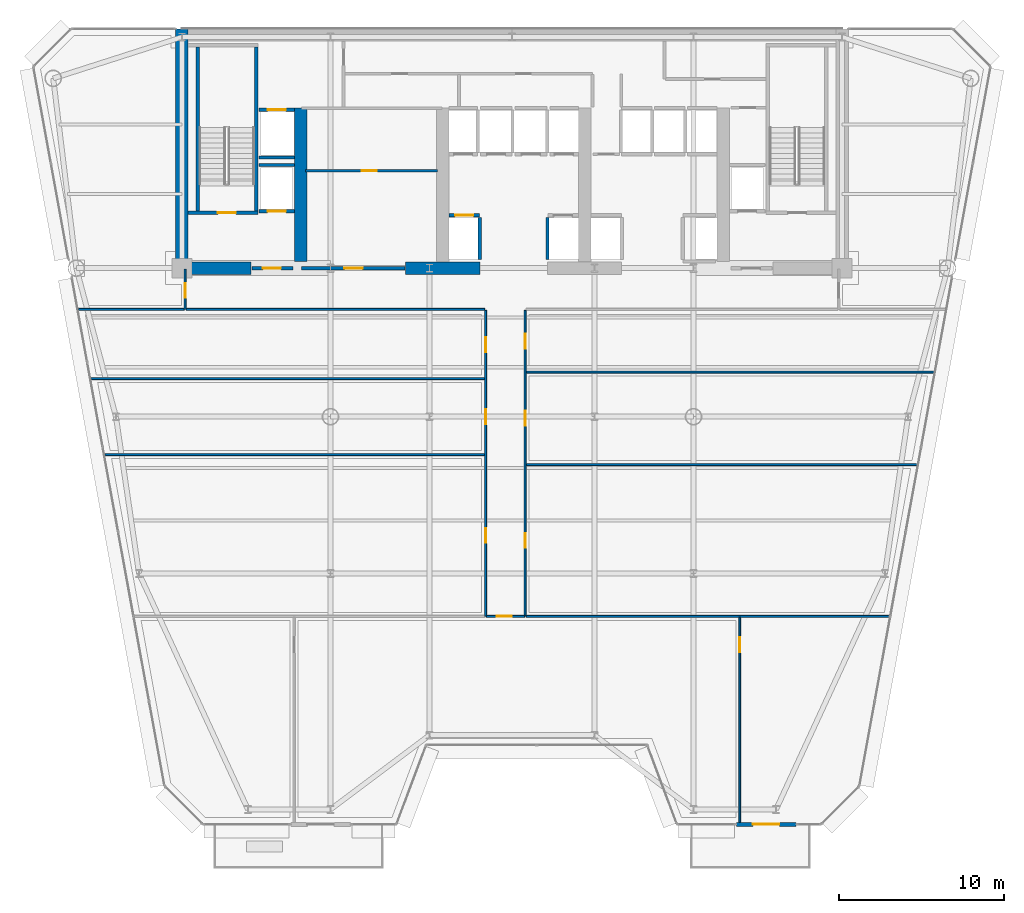
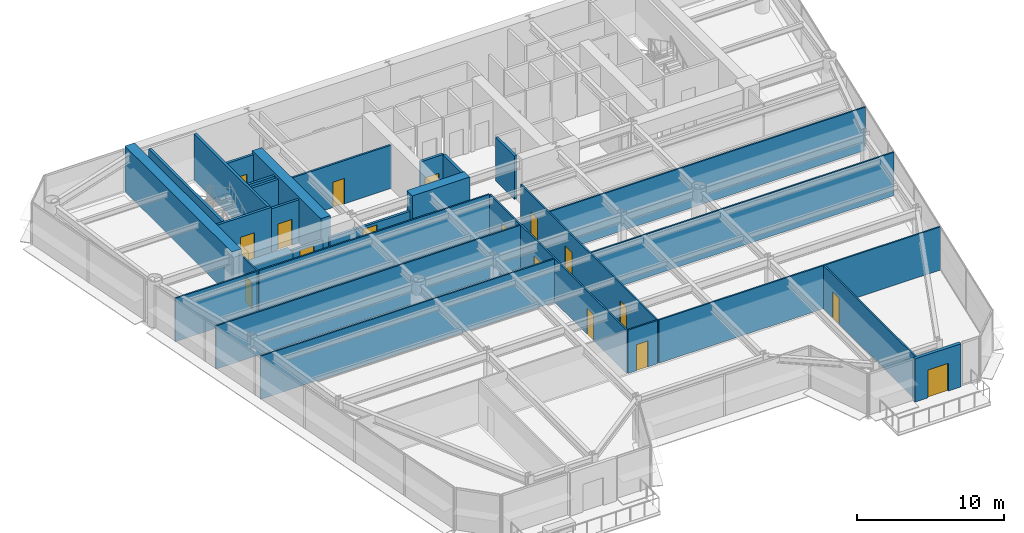
# One storey, part 11 of 17: 30 walls, 17 doors, 17 openings.
"""IFC4 building model written with IfcOpenShell, lengths in metres."""

import ifcopenshell
import ifcopenshell.guid

model = None  # the IFC model being written
_history = None  # IfcOwnerHistory: only IFC2X3 demands one
_inside = {}  # id of a spatial element -> (the spatial element, [elements in it])
_under = {}  # id of a project, library or spatial element -> (it, [spatial elements below it])
_declared = {}  # id of a project -> (the project, [libraries it declares])
_typed = {}  # id of a type object -> (the type object, [elements of that type])
_made_of = {}  # id of a material, layer set ... -> (it, [elements and type objects made of it])


def new_model(schema):
    """Start an empty IFC model of exactly this schema.

    Asked for "IFC4X3", IfcOpenShell would pick the latest addendum, in which some entities
    have other attributes; the version numbers below select the first issue.
    IFC2X3 requires an IfcOwnerHistory on every rooted entity: one is made here for all.
    """
    global model, _history
    if schema == "IFC4X3":
        model = ifcopenshell.file(schema_version=(4, 3, 0, 0))
    else:
        model = ifcopenshell.file(schema=schema)
    _inside.clear()
    _under.clear()
    _declared.clear()
    _typed.clear()
    _made_of.clear()
    _history = None
    if model.schema == "IFC2X3":
        org = make("IfcOrganization", Name="unknown")
        user = make(
            "IfcPersonAndOrganization",
            ThePerson=make("IfcPerson", FamilyName="unknown"),
            TheOrganization=org,
        )
        app = make(
            "IfcApplication",
            ApplicationDeveloper=org,
            Version="unknown",
            ApplicationFullName="unknown",
            ApplicationIdentifier="unknown",
        )
        _history = make(
            "IfcOwnerHistory",
            OwningUser=user,
            OwningApplication=app,
            ChangeAction="ADDED",
            CreationDate=0,
        )
    return model


def make(cls, **values):
    """One entity of the class cls with the attributes given. An attribute that is None is left unset."""
    return model.create_entity(
        cls, **{name: value for name, value in values.items() if value is not None}
    )


def rooted(cls, **values):
    """An entity with a GlobalId (a new one), such as an element, a storey or a relation."""
    return make(cls, GlobalId=ifcopenshell.guid.new(), OwnerHistory=_history, **values)


def si_unit(unit_type, name, prefix=None):
    """IfcSIUnit, for example si_unit("LENGTHUNIT", "METRE", prefix="MILLI")."""
    return make("IfcSIUnit", UnitType=unit_type, Prefix=prefix, Name=name)


def assignment(units):
    """IfcUnitAssignment: the units of a project."""
    return None if units is None else make("IfcUnitAssignment", Units=units)


def point(xyz):
    """IfcCartesianPoint."""
    return None if xyz is None else make("IfcCartesianPoint", Coordinates=xyz)


def direction(xyz):
    """IfcDirection."""
    return None if xyz is None else make("IfcDirection", DirectionRatios=xyz)


def frame(location, z_axis=None, x_axis=None):
    """IfcAxis2Placement3D, a coordinate frame: its origin and axes. An axis left out is left unset."""
    return make(
        "IfcAxis2Placement3D",
        Location=point(location),
        Axis=direction(z_axis),
        RefDirection=direction(x_axis),
    )


def frame_2d(location, x_axis=None):
    """IfcAxis2Placement2D, a coordinate frame in the plane: its origin and x axis."""
    return make(
        "IfcAxis2Placement2D", Location=point(location), RefDirection=direction(x_axis)
    )


def origin():
    """The frame at (0, 0, 0) with its axes left unset."""
    return frame((0.0, 0.0, 0.0))


def place(relative_to, where):
    """IfcLocalPlacement: puts the frame where relative to a parent placement (None: the world)."""
    return make(
        "IfcLocalPlacement", PlacementRelTo=relative_to, RelativePlacement=where
    )


def context(
    kind, dimensions, precision=None, world=None, true_north=None, identifier=None
):
    """IfcGeometricRepresentationContext, for example the 3D "Model" context."""
    return make(
        "IfcGeometricRepresentationContext",
        ContextIdentifier=identifier,
        ContextType=kind,
        CoordinateSpaceDimension=dimensions,
        Precision=precision,
        WorldCoordinateSystem=world,
        TrueNorth=true_north,
    )


def subcontext(parent, identifier, kind, view, scale=None):
    """IfcGeometricRepresentationSubContext, for example "Body" below "Model"."""
    return make(
        "IfcGeometricRepresentationSubContext",
        ContextIdentifier=identifier,
        ContextType=kind,
        ParentContext=parent,
        TargetScale=scale,
        TargetView=view,
    )


def project(units=None, contexts=None):
    """IfcProject with its units and contexts."""
    return rooted(
        "IfcProject",
        Name="project",
        RepresentationContexts=contexts,
        UnitsInContext=assignment(units),
    )


def spatial(cls, under=None, at=None, **own):
    """A site, building, storey or space (cls), placed at a placement, below another one or the project."""
    s = rooted(cls, ObjectPlacement=at, **own)
    if under is not None:
        _under.setdefault(under.id(), (under, []))[1].append(s)
    return s


def profile(cls, at=None, kind="AREA", **sizes):
    """A parametric profile (cls). Its sizes go by their IFC names, for example OverallWidth=200.0."""
    return make(cls, ProfileType=kind, Position=at, **sizes)


def rectangle(**sizes):
    """IfcRectangleProfileDef."""
    return profile("IfcRectangleProfileDef", **sizes)


def extrude(swept, where, along, depth):
    """IfcExtrudedAreaSolid: the profile swept, set in the frame where, extruded along a direction by depth."""
    return make(
        "IfcExtrudedAreaSolid",
        SweptArea=swept,
        Position=where,
        ExtrudedDirection=direction(along),
        Depth=depth,
    )


def shape(context_of_items, identifier, shape_type, items):
    """IfcShapeRepresentation: the items that make up one representation, for example the "Body"."""
    return make(
        "IfcShapeRepresentation",
        ContextOfItems=context_of_items,
        RepresentationIdentifier=identifier,
        RepresentationType=shape_type,
        Items=items,
    )


def source(mapping_origin, context_of_items, identifier, shape_type, items):
    """IfcRepresentationMap: a shape defined once, which mapped items show again and again."""
    return make(
        "IfcRepresentationMap",
        MappingOrigin=mapping_origin,
        MappedRepresentation=shape(context_of_items, identifier, shape_type, items),
    )


def transform(
    local_origin,
    x_axis=None,
    y_axis=None,
    z_axis=None,
    scale=None,
    scale2=None,
    scale3=None,
    uniform=True,
):
    """IfcCartesianTransformationOperator3D, or its non-uniform kind. x_axis, y_axis, z_axis: its Axis1, 2, 3."""
    if uniform:
        return make(
            "IfcCartesianTransformationOperator3D",
            Axis1=direction(x_axis),
            Axis2=direction(y_axis),
            LocalOrigin=point(local_origin),
            Scale=scale,
            Axis3=direction(z_axis),
        )
    return make(
        "IfcCartesianTransformationOperator3DnonUniform",
        Axis1=direction(x_axis),
        Axis2=direction(y_axis),
        LocalOrigin=point(local_origin),
        Scale=scale,
        Axis3=direction(z_axis),
        Scale2=scale2,
        Scale3=scale3,
    )


def mapped(mapping_source, mapping_target):
    """IfcMappedItem: shows the shape of a source again, moved by a transform."""
    return make(
        "IfcMappedItem", MappingSource=mapping_source, MappingTarget=mapping_target
    )


def material(Name=None, Category=None):
    """IfcMaterial."""
    return make("IfcMaterial", Name=Name, Category=Category)


def layer(
    of_material, thickness, ventilated=None, Name=None, Category=None, Priority=None
):
    """IfcMaterialLayer: one layer of a wall or slab, of a material (None: an air gap)."""
    return make(
        "IfcMaterialLayer",
        Material=of_material,
        LayerThickness=thickness,
        IsVentilated=ventilated,
        Name=Name,
        Category=Category,
        Priority=Priority,
    )


def layer_set(layers, Name=None):
    """IfcMaterialLayerSet."""
    return make("IfcMaterialLayerSet", MaterialLayers=layers, LayerSetName=Name)


def made_of(thing, what):
    """Note that an element or type object is made of a material, layer set ...; save() writes the relation."""
    if what is not None:
        _made_of.setdefault(what.id(), (what, []))[1].append(thing)
    return thing


def type_object(cls, material=None, **own):
    """A type object (cls), such as IfcWallType, which elements share."""
    return made_of(rooted(cls, **own), material)


def element(
    cls,
    number,
    at=None,
    inside=None,
    cuts=None,
    type_object=None,
    material=None,
    context=None,
    identifier="Body",
    shape_type=None,
    held_by="IfcProductDefinitionShape",
    body=None,
    shapes=None,
    **own,
):
    """One element of the class cls, such as IfcWall. Its Tag is "e" and its number.

    at: its placement. inside: the storey or other place that contains it. cuts: it is an
    opening in that element (IfcRelVoidsElement). A single representation is given by context,
    identifier, shape_type and body (its items); several are given by shapes. held_by: the class
    of the entity that holds the representations. save() writes the other relations.
    """
    e = rooted(cls, Tag="e%d" % number, ObjectPlacement=at, **own)
    if body is not None:
        shapes = [shape(context, identifier, shape_type, body)]
    if shapes is not None:
        e.Representation = make(held_by, Representations=shapes)
    if inside is not None:
        _inside.setdefault(inside.id(), (inside, []))[1].append(e)
    if cuts is not None:
        rooted(
            "IfcRelVoidsElement", RelatingBuildingElement=cuts, RelatedOpeningElement=e
        )
    if type_object is not None:
        _typed.setdefault(type_object.id(), (type_object, []))[1].append(e)
    return made_of(e, material)


def fill(opening, filler):
    """IfcRelFillsElement: the door or window that sits in an opening."""
    return rooted(
        "IfcRelFillsElement",
        RelatingOpeningElement=opening,
        RelatedBuildingElement=filler,
    )


def aggregate(whole, parts):
    """IfcRelAggregates: a whole, such as a stair, and the parts it consists of."""
    return rooted("IfcRelAggregates", RelatingObject=whole, RelatedObjects=parts)


def save(model, path):
    """Write the relations noted so far, then the file.

    IfcRelAggregates (storeys below a building ...), IfcRelContainedInSpatialStructure (elements
    in a storey), IfcRelDefinesByType, IfcRelAssociatesMaterial and IfcRelDeclares: one each for
    every whole, place, type object, material and project.
    """
    for whole, parts in _under.values():
        aggregate(whole, parts)
    for where, things in _inside.values():
        rooted(
            "IfcRelContainedInSpatialStructure",
            RelatedElements=things,
            RelatingStructure=where,
        )
    for kind, things in _typed.values():
        rooted("IfcRelDefinesByType", RelatedObjects=things, RelatingType=kind)
    for what, things in _made_of.values():
        rooted("IfcRelAssociatesMaterial", RelatedObjects=things, RelatingMaterial=what)
    for by, libraries in _declared.values():
        rooted("IfcRelDeclares", RelatingContext=by, RelatedDefinitions=libraries)
    model.write(path)


model = new_model("IFC4")

# Units and contexts
model_context = context("Model", 3, precision=1e-05, world=origin(), true_north=direction((0.0, 1.0)))
body_context = subcontext(model_context, "Body", "Model", "MODEL_VIEW")
ifc_project = project(units=[si_unit("LENGTHUNIT", "METRE"), si_unit("AREAUNIT", "SQUARE_METRE"), si_unit("VOLUMEUNIT", "CUBIC_METRE"), si_unit("PLANEANGLEUNIT", "RADIAN"), si_unit("MASSUNIT", "GRAM", prefix="KILO")], contexts=[model_context])

# Site, building, storey
site_placement = place(None, origin())
site = spatial("IfcSite", under=ifc_project, at=site_placement, CompositionType="ELEMENT")
building_placement = place(site_placement, origin())
building = spatial("IfcBuilding", under=site, at=building_placement, Name="Vaeldorn Concourse Tower", CompositionType="ELEMENT")
storey_placement = place(building_placement, frame((0.0, 0.0, 153.800048828125)))
storey = spatial("IfcBuildingStorey", under=building, at=storey_placement, Name="L39", CompositionType="ELEMENT", Elevation=153.800048828125)

# Walls
ifc_material_1 = material(Name="Concrete C60/75", Category="concrete")
ifc_layer_1 = layer(ifc_material_1, 0.75)
ifc_layer_set_1 = layer_set([ifc_layer_1], Name="Concrete C60/75")
wall_type_1 = type_object("IfcWallType", Name="WL-CORE-750", PredefinedType="SHEAR", material=ifc_layer_set_1)
wall_1_placement = place(storey_placement, frame((14.0, 36.5, 0.0), z_axis=(0.0, 0.0, 1.0), x_axis=(0.0, 1.0, 0.0)))
element("IfcWall", 1, at=wall_1_placement, inside=storey, type_object=wall_type_1, Name="Rear Core Shear Wall L39 W1", PredefinedType="SHEAR", context=body_context, shape_type="SweptSolid", body=[
    extrude(rectangle(XDim=14.5, YDim=0.75, at=frame_2d((7.25, 0.0))), origin(), (0.0, 0.0, 1.0), 3.800048828125),
])
wall_2_placement = place(storey_placement, frame((14.39501953125, 36.5, 0.0), z_axis=(0.0, 0.0, 1.0), x_axis=(1.0, 0.0, 0.0)))
element("IfcWall", 2, at=wall_2_placement, inside=storey, type_object=wall_type_1, Name="Rear Core Shear Wall L39 S1", PredefinedType="SHEAR", context=body_context, shape_type="SweptSolid", body=[
    extrude(rectangle(XDim=3.804931640625, YDim=0.75, at=frame_2d((1.90234375, 0.0))), origin(), (0.0, 0.0, 1.0), 2.3798828125),
])
wall_3_placement = place(storey_placement, frame((27.550048828125, 36.5, 0.0), z_axis=(0.0, 0.0, 1.0), x_axis=(1.0, 0.0, 0.0)))
element("IfcWall", 3, at=wall_3_placement, inside=storey, type_object=wall_type_1, Name="Rear Core Shear Wall L39 S2", PredefinedType="SHEAR", context=body_context, shape_type="SweptSolid", body=[
    extrude(rectangle(XDim=4.5, YDim=0.75, at=frame_2d((2.25, 0.0))), origin(), (0.0, 0.0, 1.0), 3.800048828125),
])
wall_4_placement = place(storey_placement, frame((21.199951171875, 36.89501953125, 0.0), z_axis=(0.0, 0.0, 1.0), x_axis=(0.0, 1.0, 0.0)))
element("IfcWall", 4, at=wall_4_placement, inside=storey, type_object=wall_type_1, Name="Rear Core Shear Wall L39 M1", PredefinedType="SHEAR", context=body_context, shape_type="SweptSolid", body=[
    extrude(rectangle(XDim=9.304931640625, YDim=0.75, at=frame_2d((4.65234375, 0.0))), origin(), (0.0, 0.0, 1.0), 3.800048828125),
])

# Wall, opening, door
ifc_material_2 = material(Name="Precast concrete C40/50", Category="concrete")
ifc_layer_2 = layer(ifc_material_2, 0.25)
ifc_layer_set_2 = layer_set([ifc_layer_2], Name="Precast concrete C40/50")
wall_type_2 = type_object("IfcWallType", Name="WL-EXT-TERRACE-250", PredefinedType="STANDARD", material=ifc_layer_set_2)
wall_5_placement = place(storey_placement, frame((51.199951171875, 2.800048828125, 0.0), z_axis=(0.0, 0.0, 1.0), x_axis=(-1.0, 0.0, 0.0)))
wall_5 = element("IfcWall", 5, at=wall_5_placement, inside=storey, type_object=wall_type_2, Name="Sawtooth Sky Garden Portal Wall L39-2", PredefinedType="STANDARD", context=body_context, shape_type="SweptSolid", body=[
    extrude(rectangle(XDim=3.599853515625, YDim=0.25, at=frame_2d((1.7998046875, 0.0))), origin(), (0.0, 0.0, 1.0), 3.579833984375),
])
opening_1_placement = place(wall_5_placement, frame((1.0, 0.0, 0.0)))
opening_1 = element("IfcOpeningElement", 6, at=opening_1_placement, cuts=wall_5, Name="Opening DG-1", PredefinedType="OPENING", context=body_context, shape_type="SweptSolid", body=[
    extrude(rectangle(XDim=1.60009765625, YDim=2.300048828125, at=frame_2d((0.800048828125, 1.14990234375))), frame((0.0, 0.135009765625, 0.0), z_axis=(0.0, -1.0, 0.0), x_axis=(1.0, 0.0, 0.0)), (0.0, 0.0, 1.0), 0.27001953125),
])
ifc_material_3 = material(Name="Anodised Bronze Aluminium", Category="aluminium")
door_type_1 = type_object("IfcDoorType", Name="DR-EXTERNAL-1600", OperationType="DOUBLE_DOOR_SINGLE_SWING", PredefinedType="DOOR", material=ifc_material_3)
shared_shape_1 = source(origin(), body_context, "Body", "SweptSolid", [
    extrude(rectangle(XDim=1.60009765625, YDim=2.300048828125, at=frame_2d((0.800048828125, 1.14990234375))), frame((0.0, 0.02490234375, 0.0), z_axis=(0.0, -1.0, 0.0), x_axis=(1.0, 0.0, 0.0)), (0.0, 0.0, 1.0), 0.050048828125),
])
door_1_placement = place(opening_1_placement, origin())
door_1 = element("IfcDoor", 7, at=door_1_placement, inside=storey, type_object=door_type_1, Name="Sawtooth Sky Garden Terrace Door L39-2", OperationType="DOUBLE_DOOR_SINGLE_SWING", OverallHeight=2.300048828125, OverallWidth=1.60009765625, PredefinedType="DOOR", context=body_context, shape_type="MappedRepresentation", body=[
    mapped(shared_shape_1, transform((0.0, 0.0, 0.0), scale=1.0)),
])
fill(opening_1, door_1)

# Wall
ifc_material_4 = material(Name="Gypsum Board Partition", Category="gypsum")
ifc_layer_3 = layer(ifc_material_4, 0.1201171875)
ifc_layer_set_3 = layer_set([ifc_layer_3], Name="Gypsum Board Partition")
wall_type_3 = type_object("IfcWallType", Name="WL-PART-120", PredefinedType="PARTITIONING", material=ifc_layer_set_3)
wall_6_placement = place(storey_placement, frame((14.260009765625, 34.0, 0.0), z_axis=(0.0, 0.0, 1.0), x_axis=(1.0, 0.0, 0.0)))
element("IfcWall", 8, at=wall_6_placement, inside=storey, type_object=wall_type_3, Name="Interior Wall PW-L39-C3SW", PredefinedType="PARTITIONING", context=body_context, shape_type="SweptSolid", body=[
    extrude(rectangle(XDim=18.080078125, YDim=0.1201171875, at=frame_2d((9.0400390625, 0.0))), origin(), (0.0, 0.0, 1.0), 3.579833984375),
])

# Wall, opening, door
wall_7_placement = place(storey_placement, frame((14.199951171875, 34.0, 0.0), z_axis=(0.0, 0.0, 1.0), x_axis=(0.0, 1.0, 0.0)))
wall_7 = element("IfcWall", 9, at=wall_7_placement, inside=storey, type_object=wall_type_3, Name="Interior Wall PW-L39-C3W", PredefinedType="PARTITIONING", context=body_context, shape_type="SweptSolid", body=[
    extrude(rectangle(XDim=2.43994140625, YDim=0.1201171875, at=frame_2d((1.219970703125, 0.0))), origin(), (0.0, 0.0, 1.0), 3.579833984375),
])
opening_2_placement = place(wall_7_placement, frame((0.699951171875, 0.0, 0.0)))
opening_2 = element("IfcOpeningElement", 10, at=opening_2_placement, cuts=wall_7, Name="Opening D-03", PredefinedType="OPENING", context=body_context, shape_type="SweptSolid", body=[
    extrude(rectangle(XDim=0.89990234375, YDim=2.14990234375, at=frame_2d((0.449951171875, 1.074951171875))), frame((0.0, 0.070068359375, 0.0), z_axis=(0.0, -1.0, 0.0), x_axis=(1.0, 0.0, 0.0)), (0.0, 0.0, 1.0), 0.14013671875),
])
ifc_material_5 = material(Name="Acoustic Bronze-Framed Glass Door", Category="glass")
door_type_2 = type_object("IfcDoorType", Name="DR-INT-900", OperationType="NOTDEFINED", PredefinedType="DOOR", material=ifc_material_5)
shared_shape_2 = source(origin(), body_context, "Body", "SweptSolid", [
    extrude(rectangle(XDim=0.89990234375, YDim=2.14990234375, at=frame_2d((0.449951171875, 1.074951171875))), frame((0.0, 0.02490234375, 0.0), z_axis=(0.0, -1.0, 0.0), x_axis=(1.0, 0.0, 0.0)), (0.0, 0.0, 1.0), 0.050048828125),
])
door_2_placement = place(opening_2_placement, origin())
door_2 = element("IfcDoor", 11, at=door_2_placement, inside=storey, type_object=door_type_2, Name="Interior Door DR-L39-Z3NW", OperationType="SINGLE_SWING_LEFT", OverallHeight=2.14990234375, OverallWidth=0.89990234375, PredefinedType="DOOR", context=body_context, shape_type="MappedRepresentation", body=[
    mapped(shared_shape_2, transform((0.0, 0.0, 0.0), scale=1.0)),
])
fill(opening_2, door_2)

# Wall, openings, doors
wall_8_placement = place(storey_placement, frame((32.39990234375, 15.39990234375, 0.0), z_axis=(0.0, 0.0, 1.0), x_axis=(0.0, 1.0, 0.0)))
wall_8 = element("IfcWall", 12, at=wall_8_placement, inside=storey, type_object=wall_type_3, Name="Interior Wall PW-L39-CSPW", PredefinedType="PARTITIONING", context=body_context, shape_type="SweptSolid", body=[
    extrude(rectangle(XDim=18.5400390625, YDim=0.1201171875, at=frame_2d((9.27001953125, 0.0))), origin(), (0.0, 0.0, 1.0), 3.579833984375),
])
opening_3_placement = place(wall_8_placement, frame((4.449951171875, 0.0, 0.0)))
opening_3 = element("IfcOpeningElement", 13, at=opening_3_placement, cuts=wall_8, Name="Opening D-03", PredefinedType="OPENING", context=body_context, shape_type="SweptSolid", body=[
    extrude(rectangle(XDim=0.89990234375, YDim=2.14990234375, at=frame_2d((0.449951171875, 1.074951171875))), frame((0.0, 0.070068359375, 0.0), z_axis=(0.0, -1.0, 0.0), x_axis=(1.0, 0.0, 0.0)), (0.0, 0.0, 1.0), 0.14013671875),
])
opening_4_placement = place(wall_8_placement, frame((11.64990234375, 0.0, 0.0)))
opening_4 = element("IfcOpeningElement", 14, at=opening_4_placement, cuts=wall_8, Name="Opening D-03", PredefinedType="OPENING", context=body_context, shape_type="SweptSolid", body=[
    extrude(rectangle(XDim=0.89990234375, YDim=2.14990234375, at=frame_2d((0.449951171875, 1.074951171875))), frame((0.0, 0.070068359375, 0.0), z_axis=(0.0, -1.0, 0.0), x_axis=(1.0, 0.0, 0.0)), (0.0, 0.0, 1.0), 0.14013671875),
])
opening_5_placement = place(wall_8_placement, frame((16.02001953125, 0.0, 0.0)))
opening_5 = element("IfcOpeningElement", 15, at=opening_5_placement, cuts=wall_8, Name="Opening D-03", PredefinedType="OPENING", context=body_context, shape_type="SweptSolid", body=[
    extrude(rectangle(XDim=0.89990234375, YDim=2.14990234375, at=frame_2d((0.449951171875, 1.074951171875))), frame((0.0, 0.070068359375, 0.0), z_axis=(0.0, -1.0, 0.0), x_axis=(1.0, 0.0, 0.0)), (0.0, 0.0, 1.0), 0.14013671875),
])
door_3_placement = place(opening_3_placement, origin())
door_3 = element("IfcDoor", 16, at=door_3_placement, inside=storey, type_object=door_type_2, Name="Interior Door DR-L39-Z3W1", OperationType="SINGLE_SWING_LEFT", OverallHeight=2.14990234375, OverallWidth=0.89990234375, PredefinedType="DOOR", context=body_context, shape_type="MappedRepresentation", body=[
    mapped(shared_shape_2, transform((0.0, 0.0, 0.0), scale=1.0)),
])
fill(opening_3, door_3)
door_4_placement = place(opening_4_placement, origin())
door_4 = element("IfcDoor", 17, at=door_4_placement, inside=storey, type_object=door_type_2, Name="Interior Door DR-L39-Z3W2", OperationType="SINGLE_SWING_RIGHT", OverallHeight=2.14990234375, OverallWidth=0.89990234375, PredefinedType="DOOR", context=body_context, shape_type="MappedRepresentation", body=[
    mapped(shared_shape_2, transform((0.0, 0.0, 0.0), scale=1.0)),
])
fill(opening_4, door_4)
door_5_placement = place(opening_5_placement, origin())
door_5 = element("IfcDoor", 18, at=door_5_placement, inside=storey, type_object=door_type_2, Name="Interior Door DR-L39-Z3W3", OperationType="SINGLE_SWING_LEFT", OverallHeight=2.14990234375, OverallWidth=0.89990234375, PredefinedType="DOOR", context=body_context, shape_type="MappedRepresentation", body=[
    mapped(shared_shape_2, transform((0.0, 0.0, 0.0), scale=1.0)),
])
fill(opening_5, door_5)

wall_9_placement = place(storey_placement, frame((34.800048828125, 15.39990234375, 0.0), z_axis=(0.0, 0.0, 1.0), x_axis=(0.0, 1.0, 0.0)))
wall_9 = element("IfcWall", 19, at=wall_9_placement, inside=storey, type_object=wall_type_3, Name="Interior Wall PW-L39-CSPE", PredefinedType="PARTITIONING", context=body_context, shape_type="SweptSolid", body=[
    extrude(rectangle(XDim=18.5400390625, YDim=0.1201171875, at=frame_2d((9.27001953125, 0.0))), origin(), (0.0, 0.0, 1.0), 3.579833984375),
])
opening_6_placement = place(wall_9_placement, frame((4.14990234375, 0.0, 0.0)))
opening_6 = element("IfcOpeningElement", 20, at=opening_6_placement, cuts=wall_9, Name="Opening D-03", PredefinedType="OPENING", context=body_context, shape_type="SweptSolid", body=[
    extrude(rectangle(XDim=0.89990234375, YDim=2.14990234375, at=frame_2d((0.449951171875, 1.074951171875))), frame((0.0, 0.070068359375, 0.0), z_axis=(0.0, -1.0, 0.0), x_axis=(1.0, 0.0, 0.0)), (0.0, 0.0, 1.0), 0.14013671875),
])
opening_7_placement = place(wall_9_placement, frame((11.550048828125, 0.0, 0.0)))
opening_7 = element("IfcOpeningElement", 21, at=opening_7_placement, cuts=wall_9, Name="Opening D-03", PredefinedType="OPENING", context=body_context, shape_type="SweptSolid", body=[
    extrude(rectangle(XDim=0.89990234375, YDim=2.14990234375, at=frame_2d((0.449951171875, 1.074951171875))), frame((0.0, 0.070068359375, 0.0), z_axis=(0.0, -1.0, 0.0), x_axis=(1.0, 0.0, 0.0)), (0.0, 0.0, 1.0), 0.14013671875),
])
opening_8_placement = place(wall_9_placement, frame((16.219970703125, 0.0, 0.0)))
opening_8 = element("IfcOpeningElement", 22, at=opening_8_placement, cuts=wall_9, Name="Opening D-03", PredefinedType="OPENING", context=body_context, shape_type="SweptSolid", body=[
    extrude(rectangle(XDim=0.89990234375, YDim=2.14990234375, at=frame_2d((0.449951171875, 1.074951171875))), frame((0.0, 0.070068359375, 0.0), z_axis=(0.0, -1.0, 0.0), x_axis=(1.0, 0.0, 0.0)), (0.0, 0.0, 1.0), 0.14013671875),
])
door_6_placement = place(opening_6_placement, origin())
door_6 = element("IfcDoor", 23, at=door_6_placement, inside=storey, type_object=door_type_2, Name="Interior Door DR-L39-Z3E1", OperationType="SINGLE_SWING_RIGHT", OverallHeight=2.14990234375, OverallWidth=0.89990234375, PredefinedType="DOOR", context=body_context, shape_type="MappedRepresentation", body=[
    mapped(shared_shape_2, transform((0.0, 0.0, 0.0), scale=1.0)),
])
fill(opening_6, door_6)
door_7_placement = place(opening_7_placement, origin())
door_7 = element("IfcDoor", 24, at=door_7_placement, inside=storey, type_object=door_type_2, Name="Interior Door DR-L39-Z3E2", OperationType="SINGLE_SWING_LEFT", OverallHeight=2.14990234375, OverallWidth=0.89990234375, PredefinedType="DOOR", context=body_context, shape_type="MappedRepresentation", body=[
    mapped(shared_shape_2, transform((0.0, 0.0, 0.0), scale=1.0)),
])
fill(opening_7, door_7)
door_8_placement = place(opening_8_placement, origin())
door_8 = element("IfcDoor", 25, at=door_8_placement, inside=storey, type_object=door_type_2, Name="Interior Door DR-L39-Z3E3", OperationType="SINGLE_SWING_RIGHT", OverallHeight=2.14990234375, OverallWidth=0.89990234375, PredefinedType="DOOR", context=body_context, shape_type="MappedRepresentation", body=[
    mapped(shared_shape_2, transform((0.0, 0.0, 0.0), scale=1.0)),
])
fill(opening_8, door_8)

# Wall, opening, door
wall_10_placement = place(storey_placement, frame((32.43994140625, 15.39990234375, 0.0), z_axis=(0.0, 0.0, 1.0), x_axis=(1.0, 0.0, 0.0)))
wall_10 = element("IfcWall", 26, at=wall_10_placement, inside=storey, type_object=wall_type_3, Name="Interior Wall PW-L39-CSPS", PredefinedType="PARTITIONING", context=body_context, shape_type="SweptSolid", body=[
    extrude(rectangle(XDim=2.320068359375, YDim=0.1201171875, at=frame_2d((1.16015625, 0.0))), origin(), (0.0, 0.0, 1.0), 3.579833984375),
])
opening_9_placement = place(wall_10_placement, frame((0.64990234375, 0.0, 0.0)))
opening_9 = element("IfcOpeningElement", 27, at=opening_9_placement, cuts=wall_10, Name="Opening D-03", PredefinedType="OPENING", context=body_context, shape_type="SweptSolid", body=[
    extrude(rectangle(XDim=0.89990234375, YDim=2.14990234375, at=frame_2d((0.449951171875, 1.074951171875))), frame((0.0, 0.070068359375, 0.0), z_axis=(0.0, -1.0, 0.0), x_axis=(1.0, 0.0, 0.0)), (0.0, 0.0, 1.0), 0.14013671875),
])
door_9_placement = place(opening_9_placement, origin())
door_9 = element("IfcDoor", 28, at=door_9_placement, inside=storey, type_object=door_type_2, Name="Interior Door DR-L39-Z3SM", OperationType="SINGLE_SWING_LEFT", OverallHeight=2.14990234375, OverallWidth=0.89990234375, PredefinedType="DOOR", context=body_context, shape_type="MappedRepresentation", body=[
    mapped(shared_shape_2, transform((0.0, 0.0, 0.0), scale=1.0)),
])
fill(opening_9, door_9)

# Walls
wall_11_placement = place(storey_placement, frame((7.721435546875, 34.0, 0.0), z_axis=(0.0, 0.0, 1.0), x_axis=(1.0, 0.0, 0.0)))
element("IfcWall", 29, at=wall_11_placement, inside=storey, type_object=wall_type_3, Name="Interior Wall PW-L39-Z3NWB", PredefinedType="PARTITIONING", context=body_context, shape_type="SweptSolid", body=[
    extrude(rectangle(XDim=6.41845703125, YDim=0.1201171875, at=frame_2d((3.209228515625, 0.0))), origin(), (0.0, 0.0, 1.0), 3.579833984375),
])
wall_12_placement = place(storey_placement, frame((9.32666015625, 25.199951171875, 0.0), z_axis=(0.0, 0.0, 1.0), x_axis=(1.0, 0.0, 0.0)))
element("IfcWall", 30, at=wall_12_placement, inside=storey, type_object=wall_type_3, Name="Interior Wall PW-L39-Z3WY1", PredefinedType="PARTITIONING", context=body_context, shape_type="SweptSolid", body=[
    extrude(rectangle(XDim=23.013427734375, YDim=0.1201171875, at=frame_2d((11.5068359375, 0.0))), origin(), (0.0, 0.0, 1.0), 3.579833984375),
])
wall_13_placement = place(storey_placement, frame((8.487548828125, 29.800048828125, 0.0), z_axis=(0.0, 0.0, 1.0), x_axis=(1.0, 0.0, 0.0)))
element("IfcWall", 31, at=wall_13_placement, inside=storey, type_object=wall_type_3, Name="Interior Wall PW-L39-Z3WY2", PredefinedType="PARTITIONING", context=body_context, shape_type="SweptSolid", body=[
    extrude(rectangle(XDim=23.8525390625, YDim=0.1201171875, at=frame_2d((11.92626953125, 0.0))), origin(), (0.0, 0.0, 1.0), 3.579833984375),
])
wall_14_placement = place(storey_placement, frame((34.860107421875, 24.60009765625, 0.0), z_axis=(0.0, 0.0, 1.0), x_axis=(1.0, 0.0, 0.0)))
element("IfcWall", 32, at=wall_14_placement, inside=storey, type_object=wall_type_3, Name="Interior Wall PW-L39-Z3EY1", PredefinedType="PARTITIONING", context=body_context, shape_type="SweptSolid", body=[
    extrude(rectangle(XDim=23.703857421875, YDim=0.1201171875, at=frame_2d((11.85205078125, 0.0))), origin(), (0.0, 0.0, 1.0), 3.579833984375),
])
wall_15_placement = place(storey_placement, frame((34.860107421875, 30.199951171875, 0.0), z_axis=(0.0, 0.0, 1.0), x_axis=(1.0, 0.0, 0.0)))
element("IfcWall", 33, at=wall_15_placement, inside=storey, type_object=wall_type_3, Name="Interior Wall PW-L39-Z3EY2", PredefinedType="PARTITIONING", context=body_context, shape_type="SweptSolid", body=[
    extrude(rectangle(XDim=24.725341796875, YDim=0.1201171875, at=frame_2d((12.36279296875, 0.0))), origin(), (0.0, 0.0, 1.0), 3.579833984375),
])
wall_16_placement = place(storey_placement, frame((34.860107421875, 15.39990234375, 0.0), z_axis=(0.0, 0.0, 1.0), x_axis=(1.0, 0.0, 0.0)))
element("IfcWall", 34, at=wall_16_placement, inside=storey, type_object=wall_type_3, Name="Interior Wall PW-L39-Z3SEL", PredefinedType="PARTITIONING", context=body_context, shape_type="SweptSolid", body=[
    extrude(rectangle(XDim=22.025634765625, YDim=0.1201171875, at=frame_2d((11.0126953125, 0.0))), origin(), (0.0, 0.0, 1.0), 3.579833984375),
])

# Wall, opening, door
wall_17_placement = place(storey_placement, frame((47.800048828125, 2.840087890625, 0.0), z_axis=(0.0, 0.0, 1.0), x_axis=(0.0, 1.0, 0.0)))
wall_17 = element("IfcWall", 35, at=wall_17_placement, inside=storey, type_object=wall_type_3, Name="Interior Wall PW-L39-Z3SX2", PredefinedType="PARTITIONING", context=body_context, shape_type="SweptSolid", body=[
    extrude(rectangle(XDim=12.5, YDim=0.1201171875, at=frame_2d((6.25, 0.0))), origin(), (0.0, 0.0, 1.0), 3.579833984375),
])
opening_10_placement = place(wall_17_placement, frame((10.39990234375, 0.0, 0.0)))
opening_10 = element("IfcOpeningElement", 36, at=opening_10_placement, cuts=wall_17, Name="Opening D-03", PredefinedType="OPENING", context=body_context, shape_type="SweptSolid", body=[
    extrude(rectangle(XDim=0.89990234375, YDim=2.14990234375, at=frame_2d((0.449951171875, 1.074951171875))), frame((0.0, 0.070068359375, 0.0), z_axis=(0.0, -1.0, 0.0), x_axis=(1.0, 0.0, 0.0)), (0.0, 0.0, 1.0), 0.14013671875),
])
door_10_placement = place(opening_10_placement, origin())
door_10 = element("IfcDoor", 37, at=door_10_placement, inside=storey, type_object=door_type_2, Name="Interior Door DR-L39-Z3SX2", OperationType="SINGLE_SWING_LEFT", OverallHeight=2.14990234375, OverallWidth=0.89990234375, PredefinedType="DOOR", context=body_context, shape_type="MappedRepresentation", body=[
    mapped(shared_shape_2, transform((0.0, 0.0, 0.0), scale=1.0)),
])
fill(opening_10, door_10)

ifc_layer_4 = layer(ifc_material_4, 0.14990234375)
ifc_layer_set_4 = layer_set([ifc_layer_4], Name="Gypsum Board Partition")
wall_type_4 = type_object("IfcWallType", Name="WL-PART-150", PredefinedType="PARTITIONING", material=ifc_layer_set_4)
wall_18_placement = place(storey_placement, frame((21.5, 42.39990234375, 0.0), z_axis=(0.0, 0.0, 1.0), x_axis=(1.0, 0.0, 0.0)))
wall_18 = element("IfcWall", 38, at=wall_18_placement, inside=storey, type_object=wall_type_4, Name="Interior Wall CW-L39-R1M", PredefinedType="PARTITIONING", context=body_context, shape_type="SweptSolid", body=[
    extrude(rectangle(XDim=8.0, YDim=0.14990234375, at=frame_2d((4.0, 0.0))), origin(), (0.0, 0.0, 1.0), 3.579833984375),
])
opening_11_placement = place(wall_18_placement, frame((3.39990234375, 0.0, 0.0)))
opening_11 = element("IfcOpeningElement", 39, at=opening_11_placement, cuts=wall_18, Name="Opening D-02", PredefinedType="OPENING", context=body_context, shape_type="SweptSolid", body=[
    extrude(rectangle(XDim=0.89990234375, YDim=2.10009765625, at=frame_2d((0.449951171875, 1.050048828125))), frame((0.0, 0.0849609375, 0.0), z_axis=(0.0, -1.0, 0.0), x_axis=(1.0, 0.0, 0.0)), (0.0, 0.0, 1.0), 0.169921875),
])
ifc_material_6 = material(Name="Fire-Rated Timber Leaf", Category="wood")
door_type_3 = type_object("IfcDoorType", Name="DR-FD30-900", OperationType="NOTDEFINED", PredefinedType="DOOR", material=ifc_material_6)
shared_shape_3 = source(origin(), body_context, "Body", "SweptSolid", [
    extrude(rectangle(XDim=0.89990234375, YDim=2.10009765625, at=frame_2d((0.449951171875, 1.050048828125))), frame((0.0, 0.02490234375, 0.0), z_axis=(0.0, -1.0, 0.0), x_axis=(1.0, 0.0, 0.0)), (0.0, 0.0, 1.0), 0.050048828125),
])
door_11_placement = place(opening_11_placement, origin())
door_11 = element("IfcDoor", 40, at=door_11_placement, inside=storey, type_object=door_type_3, Name="Interior Door DR-L39-R1M", OperationType="SINGLE_SWING_RIGHT", OverallHeight=2.10009765625, OverallWidth=0.89990234375, PredefinedType="DOOR", context=body_context, shape_type="MappedRepresentation", body=[
    mapped(shared_shape_3, transform((0.0, 0.0, 0.0), scale=1.0)),
])
fill(opening_11, door_11)

ifc_material_7 = material(Name="Concrete C50/60", Category="concrete")
ifc_layer_5 = layer(ifc_material_7, 0.199951171875)
ifc_layer_set_5 = layer_set([ifc_layer_5], Name="Concrete C50/60")
wall_type_5 = type_object("IfcWallType", Name="WL-SHAFT-200", PredefinedType="SOLIDWALL", material=ifc_layer_set_5)
wall_19_placement = place(storey_placement, frame((14.375, 39.85009765625, 0.0), z_axis=(0.0, 0.0, 1.0), x_axis=(1.0, 0.0, 0.0)))
wall_19 = element("IfcWall", 41, at=wall_19_placement, inside=storey, type_object=wall_type_5, Name="Stair Shaft Wall CW-L39-ST-1-S", PredefinedType="SOLIDWALL", context=body_context, shape_type="SweptSolid", body=[
    extrude(rectangle(XDim=4.22509765625, YDim=0.199951171875, at=frame_2d((2.112548828125, 0.0))), origin(), (0.0, 0.0, 1.0), 3.800048828125),
])
opening_12_placement = place(wall_19_placement, frame((1.800048828125, 0.0, 0.0)))
opening_12 = element("IfcOpeningElement", 42, at=opening_12_placement, cuts=wall_19, Name="Opening D-01", PredefinedType="OPENING", context=body_context, shape_type="SweptSolid", body=[
    extrude(rectangle(XDim=1.10009765625, YDim=2.14990234375, at=frame_2d((0.550048828125, 1.074951171875))), frame((0.0, 0.10986328125, 0.0), z_axis=(0.0, -1.0, 0.0), x_axis=(1.0, 0.0, 0.0)), (0.0, 0.0, 1.0), 0.219970703125),
])
ifc_material_8 = material(Name="Fire-Rated Timber and Steel Leaf", Category="steel")
door_type_4 = type_object("IfcDoorType", Name="DR-FD60-1100", OperationType="NOTDEFINED", PredefinedType="DOOR", material=ifc_material_8)
shared_shape_4 = source(origin(), body_context, "Body", "SweptSolid", [
    extrude(rectangle(XDim=1.10009765625, YDim=2.14990234375, at=frame_2d((0.550048828125, 1.074951171875))), frame((0.0, 0.02490234375, 0.0), z_axis=(0.0, -1.0, 0.0), x_axis=(1.0, 0.0, 0.0)), (0.0, 0.0, 1.0), 0.050048828125),
])
door_12_placement = place(opening_12_placement, origin())
door_12 = element("IfcDoor", 43, at=door_12_placement, inside=storey, type_object=door_type_4, Name="Interior Door DR-L39-ST-1", OperationType="SINGLE_SWING_LEFT", OverallHeight=2.14990234375, OverallWidth=1.10009765625, PredefinedType="DOOR", context=body_context, shape_type="MappedRepresentation", body=[
    mapped(shared_shape_4, transform((0.0, 0.0, 0.0), scale=1.0)),
])
fill(opening_12, door_12)

# Walls
for number, where, z_axis, x_axis, name in (
    (44, (14.949951171875, 39.9599609375, 0.0), (0.0, 0.0, 1.0), (0.0, 1.0, 0.0), "Stair Shaft Wall CW-L39-ST-1-W"),
    (45, (18.5, 39.9599609375, 0.0), (0.0, 0.0, 1.0), (0.0, 1.0, 0.0), "Stair Shaft Wall CW-L39-ST-1-E"),
):
    element("IfcWall", number, at=place(storey_placement, frame(where, z_axis=z_axis, x_axis=x_axis)), inside=storey, type_object=wall_type_5, Name=name, PredefinedType="SOLIDWALL", context=body_context, shape_type="SweptSolid", body=[
        extrude(rectangle(XDim=9.929931640625, YDim=0.199951171875, at=frame_2d((4.96484375, 0.0))), origin(), (0.0, 0.0, 1.0), 3.800048828125),
    ])

# Wall, opening, door
wall_20_placement = place(storey_placement, frame((18.25, 36.5, 0.0), z_axis=(0.0, 0.0, 1.0), x_axis=(1.0, 0.0, 0.0)))
wall_20 = element("IfcWall", 46, at=wall_20_placement, inside=storey, type_object=wall_type_5, Name="Interior Wall CW-L39-FF1S", PredefinedType="SOLIDWALL", context=body_context, shape_type="SweptSolid", body=[
    extrude(rectangle(XDim=2.469970703125, YDim=0.199951171875, at=frame_2d((1.23486328125, 0.0))), origin(), (0.0, 0.0, 1.0), 2.369873046875),
])
opening_13_placement = place(wall_20_placement, frame((0.64990234375, 0.0, 0.0)))
opening_13 = element("IfcOpeningElement", 47, at=opening_13_placement, cuts=wall_20, Name="Opening D-01", PredefinedType="OPENING", context=body_context, shape_type="SweptSolid", body=[
    extrude(rectangle(XDim=1.10009765625, YDim=2.14990234375, at=frame_2d((0.550048828125, 1.074951171875))), frame((0.0, 0.10986328125, 0.0), z_axis=(0.0, -1.0, 0.0), x_axis=(1.0, 0.0, 0.0)), (0.0, 0.0, 1.0), 0.219970703125),
])
door_13_placement = place(opening_13_placement, origin())
door_13 = element("IfcDoor", 48, at=door_13_placement, inside=storey, type_object=door_type_4, Name="Interior Door DR-L39-FF1E", OperationType="SINGLE_SWING_RIGHT", OverallHeight=2.14990234375, OverallWidth=1.10009765625, PredefinedType="DOOR", context=body_context, shape_type="MappedRepresentation", body=[
    mapped(shared_shape_4, transform((0.0, 0.0, 0.0), scale=1.0)),
])
fill(opening_13, door_13)

wall_21_placement = place(storey_placement, frame((30.18505859375, 39.699951171875, 0.0), z_axis=(0.0, 0.0, 1.0), x_axis=(1.0, 0.0, 0.0)))
wall_21 = element("IfcWall", 49, at=wall_21_placement, inside=storey, type_object=wall_type_5, Name="Interior Wall CW-L39-LF-LF-07", PredefinedType="SOLIDWALL", context=body_context, shape_type="SweptSolid", body=[
    extrude(rectangle(XDim=1.844970703125, YDim=0.199951171875, at=frame_2d((0.92236328125, 0.0))), origin(), (0.0, 0.0, 1.0), 3.579833984375),
])
opening_14_placement = place(wall_21_placement, frame((0.373046875, 0.0, 0.0)))
opening_14 = element("IfcOpeningElement", 50, at=opening_14_placement, cuts=wall_21, Name="Opening LD-1", PredefinedType="OPENING", context=body_context, shape_type="SweptSolid", body=[
    extrude(rectangle(XDim=1.10009765625, YDim=2.14990234375, at=frame_2d((0.550048828125, 1.074951171875))), frame((0.0, 0.10986328125, 0.0), z_axis=(0.0, -1.0, 0.0), x_axis=(1.0, 0.0, 0.0)), (0.0, 0.0, 1.0), 0.219970703125),
])
door_type_5 = type_object("IfcDoorType", Name="DR-LIFT-SLIDE-1100", OperationType="DOUBLE_DOOR_SLIDING", PredefinedType="DOOR", material=ifc_material_3)
door_14_placement = place(opening_14_placement, origin())
door_14 = element("IfcDoor", 51, at=door_14_placement, inside=storey, type_object=door_type_5, Name="Lift Landing Door LD-L39-LF-07", OperationType="DOUBLE_DOOR_SLIDING", OverallHeight=2.14990234375, OverallWidth=1.10009765625, PredefinedType="DOOR", context=body_context, shape_type="MappedRepresentation", body=[
    mapped(shared_shape_4, transform((0.0, 0.0, 0.0), scale=1.0)),
])
fill(opening_14, door_14)

# Walls
for number, where, z_axis, x_axis, name in (
    (52, (32.050048828125, 37.02001953125, 0.0), (0.0, 0.0, 1.0), (0.0, 1.0, 0.0), "Interior Wall CW-L39-LFE-LF-07"),
    (53, (36.14990234375, 37.02001953125, 0.0), (0.0, 0.0, 1.0), (0.0, 1.0, 0.0), "Interior Wall CW-L39-LFW-LF-08"),
):
    element("IfcWall", number, at=place(storey_placement, frame(where, z_axis=z_axis, x_axis=x_axis)), inside=storey, type_object=wall_type_5, Name=name, PredefinedType="SOLIDWALL", context=body_context, shape_type="SweptSolid", body=[
        extrude(rectangle(XDim=2.56005859375, YDim=0.199951171875, at=frame_2d((1.280029296875, 0.0))), origin(), (0.0, 0.0, 1.0), 3.579833984375),
    ])

# Wall, opening, door
wall_22_placement = place(storey_placement, frame((18.669921875, 46.10009765625, 0.0), z_axis=(0.0, 0.0, 1.0), x_axis=(1.0, 0.0, 0.0)))
wall_22 = element("IfcWall", 54, at=wall_22_placement, inside=storey, type_object=wall_type_5, Name="Interior Wall CW-L39-LF-LF-SV1", PredefinedType="SOLIDWALL", context=body_context, shape_type="SweptSolid", body=[
    extrude(rectangle(XDim=2.14501953125, YDim=0.199951171875, at=frame_2d((1.072509765625, 0.0))), origin(), (0.0, 0.0, 1.0), 3.579833984375),
])
opening_15_placement = place(wall_22_placement, frame((0.52197265625, 0.0, 0.0)))
opening_15 = element("IfcOpeningElement", 55, at=opening_15_placement, cuts=wall_22, Name="Opening LD-1", PredefinedType="OPENING", context=body_context, shape_type="SweptSolid", body=[
    extrude(rectangle(XDim=1.10009765625, YDim=2.14990234375, at=frame_2d((0.550048828125, 1.074951171875))), frame((0.0, 0.10986328125, 0.0), z_axis=(0.0, -1.0, 0.0), x_axis=(1.0, 0.0, 0.0)), (0.0, 0.0, 1.0), 0.219970703125),
])
door_15_placement = place(opening_15_placement, origin())
door_15 = element("IfcDoor", 56, at=door_15_placement, inside=storey, type_object=door_type_5, Name="Lift Landing Door LD-L39-LF-SV1", OperationType="DOUBLE_DOOR_SLIDING", OverallHeight=2.14990234375, OverallWidth=1.10009765625, PredefinedType="DOOR", context=body_context, shape_type="MappedRepresentation", body=[
    mapped(shared_shape_4, transform((0.0, 0.0, 0.0), scale=1.0)),
])
fill(opening_15, door_15)

# Wall
wall_23_placement = place(storey_placement, frame((18.669921875, 43.199951171875, 0.0), z_axis=(0.0, 0.0, 1.0), x_axis=(1.0, 0.0, 0.0)))
element("IfcWall", 57, at=wall_23_placement, inside=storey, type_object=wall_type_5, Name="Interior Wall CW-L39-LFB-LF-SV1", PredefinedType="SOLIDWALL", context=body_context, shape_type="SweptSolid", body=[
    extrude(rectangle(XDim=2.14501953125, YDim=0.199951171875, at=frame_2d((1.072509765625, 0.0))), origin(), (0.0, 0.0, 1.0), 3.579833984375),
])

# Wall, opening, door
wall_24_placement = place(storey_placement, frame((18.669921875, 39.949951171875, 0.0), z_axis=(0.0, 0.0, 1.0), x_axis=(1.0, 0.0, 0.0)))
wall_24 = element("IfcWall", 58, at=wall_24_placement, inside=storey, type_object=wall_type_5, Name="Interior Wall CW-L39-LF-LF-FF1", PredefinedType="SOLIDWALL", context=body_context, shape_type="SweptSolid", body=[
    extrude(rectangle(XDim=2.14501953125, YDim=0.199951171875, at=frame_2d((1.072509765625, 0.0))), origin(), (0.0, 0.0, 1.0), 3.579833984375),
])
opening_16_placement = place(wall_24_placement, frame((0.52197265625, 0.0, 0.0)))
opening_16 = element("IfcOpeningElement", 59, at=opening_16_placement, cuts=wall_24, Name="Opening LD-1", PredefinedType="OPENING", context=body_context, shape_type="SweptSolid", body=[
    extrude(rectangle(XDim=1.10009765625, YDim=2.14990234375, at=frame_2d((0.550048828125, 1.074951171875))), frame((0.0, 0.10986328125, 0.0), z_axis=(0.0, -1.0, 0.0), x_axis=(1.0, 0.0, 0.0)), (0.0, 0.0, 1.0), 0.219970703125),
])
door_16_placement = place(opening_16_placement, origin())
door_16 = element("IfcDoor", 60, at=door_16_placement, inside=storey, type_object=door_type_5, Name="Lift Landing Door LD-L39-LF-FF1", OperationType="DOUBLE_DOOR_SLIDING", OverallHeight=2.14990234375, OverallWidth=1.10009765625, PredefinedType="DOOR", context=body_context, shape_type="MappedRepresentation", body=[
    mapped(shared_shape_4, transform((0.0, 0.0, 0.0), scale=1.0)),
])
fill(opening_16, door_16)

# Wall
wall_25_placement = place(storey_placement, frame((18.669921875, 42.75, 0.0), z_axis=(0.0, 0.0, 1.0), x_axis=(1.0, 0.0, 0.0)))
element("IfcWall", 61, at=wall_25_placement, inside=storey, type_object=wall_type_5, Name="Interior Wall CW-L39-LFB-LF-FF1", PredefinedType="SOLIDWALL", context=body_context, shape_type="SweptSolid", body=[
    extrude(rectangle(XDim=2.14501953125, YDim=0.199951171875, at=frame_2d((1.072509765625, 0.0))), origin(), (0.0, 0.0, 1.0), 3.579833984375),
])

# Wall, opening, door
wall_26_placement = place(storey_placement, frame((21.25, 36.5, 0.0), z_axis=(0.0, 0.0, 1.0), x_axis=(1.0, 0.0, 0.0)))
wall_26 = element("IfcWall", 62, at=wall_26_placement, inside=storey, type_object=wall_type_5, Name="Interior Wall CW-L39-R1S", PredefinedType="SOLIDWALL", context=body_context, shape_type="SweptSolid", body=[
    extrude(rectangle(XDim=6.27001953125, YDim=0.199951171875, at=frame_2d((3.135009765625, 0.0))), origin(), (0.0, 0.0, 1.0), 2.369873046875),
])
opening_17_placement = place(wall_26_placement, frame((2.60009765625, 0.0, 0.0)))
opening_17 = element("IfcOpeningElement", 63, at=opening_17_placement, cuts=wall_26, Name="Opening D-01", PredefinedType="OPENING", context=body_context, shape_type="SweptSolid", body=[
    extrude(rectangle(XDim=1.10009765625, YDim=2.14990234375, at=frame_2d((0.550048828125, 1.074951171875))), frame((0.0, 0.10986328125, 0.0), z_axis=(0.0, -1.0, 0.0), x_axis=(1.0, 0.0, 0.0)), (0.0, 0.0, 1.0), 0.219970703125),
])
door_17_placement = place(opening_17_placement, origin())
door_17 = element("IfcDoor", 64, at=door_17_placement, inside=storey, type_object=door_type_4, Name="Interior Door DR-L39-R1S", OperationType="SINGLE_SWING_LEFT", OverallHeight=2.14990234375, OverallWidth=1.10009765625, PredefinedType="DOOR", context=body_context, shape_type="MappedRepresentation", body=[
    mapped(shared_shape_4, transform((0.0, 0.0, 0.0), scale=1.0)),
])
fill(opening_17, door_17)

save(model, "model.ifc")
